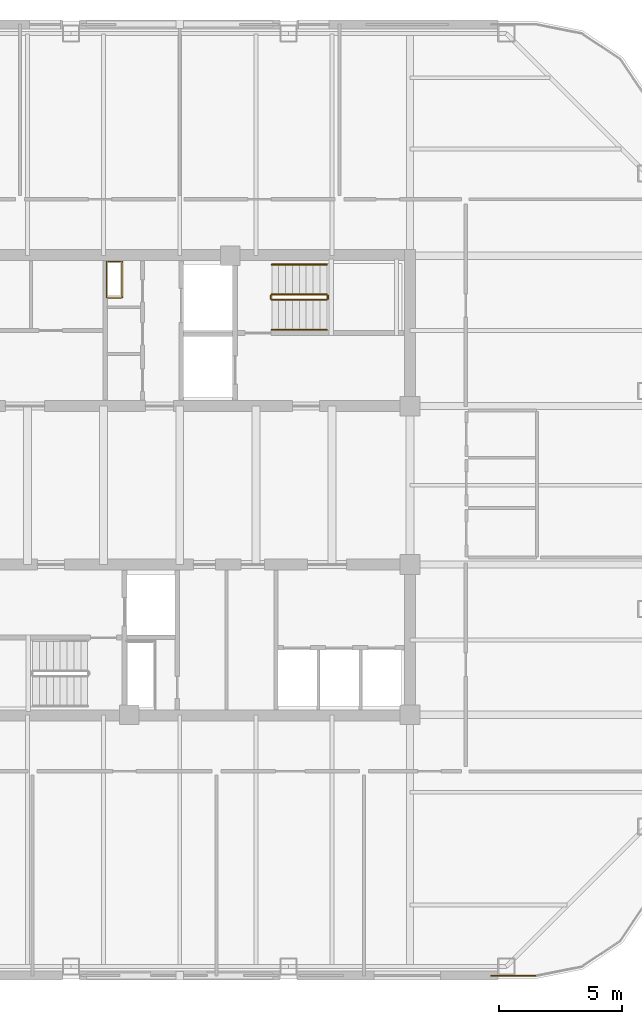
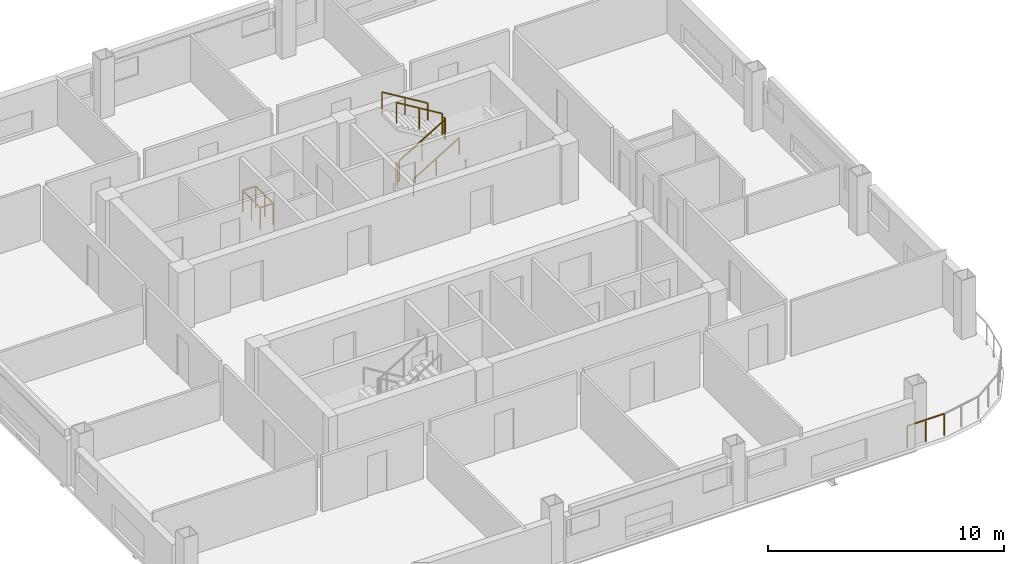
# One storey, part 7 of 8: 8 railings.
"""IFC4 building model written with IfcOpenShell, lengths in metres."""

from ifc_helpers import new_model, si_unit, direction, frame, origin, origin_2d, place, context, subcontext, project, spatial, rectangle, extrude, material, type_object, element, save


model = new_model("IFC4")

# Units and contexts
model_context = context("Model", 3, precision=1e-05, world=origin(), true_north=direction((0.0, 1.0)))
body_context = subcontext(model_context, "Body", "Model", "MODEL_VIEW")
ifc_project = project(units=[si_unit("LENGTHUNIT", "METRE"), si_unit("AREAUNIT", "SQUARE_METRE"), si_unit("VOLUMEUNIT", "CUBIC_METRE"), si_unit("PLANEANGLEUNIT", "RADIAN"), si_unit("MASSUNIT", "GRAM", prefix="KILO")], contexts=[model_context])

# Site, building, storey
site_placement = place(None, origin())
site = spatial("IfcSite", under=ifc_project, at=site_placement, CompositionType="ELEMENT")
building_placement = place(site_placement, origin())
building = spatial("IfcBuilding", under=site, at=building_placement, Name="Qhalaya Broadcast Tower", CompositionType="ELEMENT")
storey_placement = place(building_placement, frame((0.0, 0.0, 220.85009765625)))
storey = spatial("IfcBuildingStorey", under=building, at=storey_placement, Name="L65", CompositionType="ELEMENT", Elevation=220.85009765625)

# Railings
ifc_material = material(Name="Powder-Coated Galvanised Steel", Category="steel")
railing_type_1 = type_object("IfcRailingType", Name="Stair Wall Handrail 900", PredefinedType="HANDRAIL", material=ifc_material)
railing_1_placement = place(storey_placement, frame((3.75, 6.929931640625, 0.16943359375)))
element("IfcRailing", 1, at=railing_1_placement, inside=storey, type_object=railing_type_1, Name="L65 ST-1 Stair Handrail 1", PredefinedType="HANDRAIL", context=body_context, shape_type="SweptSolid", body=[
    extrude(rectangle(XDim=0.048095703125, YDim=0.048095703125, at=origin_2d()), frame((0.0, 0.0, 0.8759765625), z_axis=(0.855553338991, 0.0, 0.51771467445), x_axis=(0.0, 1.0, 0.0)), (0.0, 0.0, 1.0), 2.6181640625),
    extrude(rectangle(XDim=0.0419921875, YDim=0.0419921875, at=origin_2d()), origin(), (0.0, 0.0, 1.0), 0.849853515625),
    extrude(rectangle(XDim=0.0419921875, YDim=0.0419921875, at=origin_2d()), frame((1.1201171875, 0.0, 0.677734375)), (0.0, 0.0, 1.0), 0.849853515625),
    extrude(rectangle(XDim=0.0419921875, YDim=0.0419921875, at=origin_2d()), frame((2.239990234375, 0.0, 1.35546875)), (0.0, 0.0, 1.0), 0.849853515625),
])
railing_2_placement = place(storey_placement, frame((5.989990234375, 9.590087890625, 1.6943359375)))
element("IfcRailing", 2, at=railing_2_placement, inside=storey, type_object=railing_type_1, Name="L65 ST-1 Stair Handrail 2", PredefinedType="HANDRAIL", context=body_context, shape_type="SweptSolid", body=[
    extrude(rectangle(XDim=0.048095703125, YDim=0.048095703125, at=origin_2d()), frame((0.0, 0.0, 0.8759765625), z_axis=(-0.855553338991, 0.0, 0.51771467445), x_axis=(0.0, -1.0, 0.0)), (0.0, 0.0, 1.0), 2.6181640625),
    extrude(rectangle(XDim=0.0419921875, YDim=0.0419921875, at=origin_2d()), origin(), (0.0, 0.0, 1.0), 0.849853515625),
    extrude(rectangle(XDim=0.0419921875, YDim=0.0419921875, at=origin_2d()), frame((-1.1201171875, 0.0, 0.677734375)), (0.0, 0.0, 1.0), 0.849853515625),
    extrude(rectangle(XDim=0.0419921875, YDim=0.0419921875, at=origin_2d()), frame((-2.239990234375, 0.0, 1.35546875)), (0.0, 0.0, 1.0), 0.849853515625),
])
railing_type_2 = type_object("IfcRailingType", Name="Stair Well & Landing Guardrail 1100", PredefinedType="GUARDRAIL", material=ifc_material)
railing_3_placement = place(storey_placement, frame((-2.340087890625, 8.239990234375, 0.0)))
element("IfcRailing", 3, at=railing_3_placement, inside=storey, type_object=railing_type_2, Name="L65 Service Riser Opening Safety Guard NRSR", PredefinedType="GUARDRAIL", context=body_context, shape_type="SweptSolid", body=[
    extrude(rectangle(XDim=0.048095703125, YDim=0.048095703125, at=origin_2d()), frame((0.0, 0.02880859375, 1.1259765625), z_axis=(0.0, 1.0, 0.0), x_axis=(-1.0, 0.0, 0.0)), (0.0, 0.0, 1.0), 1.42236328125),
    extrude(rectangle(XDim=0.048095703125, YDim=0.048095703125, at=origin_2d()), frame((-0.02880859375, 1.47998046875, 1.1259765625), z_axis=(-1.0, 0.0, 0.0), x_axis=(0.0, -1.0, 0.0)), (0.0, 0.0, 1.0), 0.582275390625),
    extrude(rectangle(XDim=0.048095703125, YDim=0.048095703125, at=origin_2d()), frame((-0.639892578125, 1.451171875, 1.1259765625), z_axis=(0.0, -1.0, 0.0), x_axis=(1.0, 0.0, 0.0)), (0.0, 0.0, 1.0), 1.42236328125),
    extrude(rectangle(XDim=0.048095703125, YDim=0.048095703125, at=origin_2d()), frame((-0.611083984375, 0.0, 1.1259765625), z_axis=(1.0, 0.0, 0.0), x_axis=(0.0, 1.0, 0.0)), (0.0, 0.0, 1.0), 0.582275390625),
    extrude(rectangle(XDim=0.0419921875, YDim=0.0419921875, at=origin_2d()), origin(), (0.0, 0.0, 1.0), 1.099853515625),
    extrude(rectangle(XDim=0.0419921875, YDim=0.0419921875, at=origin_2d()), frame((0.0, 0.739990234375, 0.0)), (0.0, 0.0, 1.0), 1.099853515625),
    extrude(rectangle(XDim=0.0419921875, YDim=0.0419921875, at=origin_2d()), frame((0.0, 1.47998046875, 0.0)), (0.0, 0.0, 1.0), 1.099853515625),
    extrude(rectangle(XDim=0.0419921875, YDim=0.0419921875, at=origin_2d()), frame((-0.639892578125, 1.47998046875, 0.0)), (0.0, 0.0, 1.0), 1.099853515625),
    extrude(rectangle(XDim=0.0419921875, YDim=0.0419921875, at=origin_2d()), frame((-0.639892578125, 0.739990234375, 0.0)), (0.0, 0.0, 1.0), 1.099853515625),
    extrude(rectangle(XDim=0.0419921875, YDim=0.0419921875, at=origin_2d()), frame((-0.639892578125, 0.0, 0.0)), (0.0, 0.0, 1.0), 1.099853515625),
])
railing_4_placement = place(storey_placement, frame((3.75, 8.14990234375, 0.16943359375)))
element("IfcRailing", 4, at=railing_4_placement, inside=storey, type_object=railing_type_2, Name="L65 ST-1 Stair Guard 1", PredefinedType="GUARDRAIL", context=body_context, shape_type="SweptSolid", body=[
    extrude(rectangle(XDim=0.048095703125, YDim=0.048095703125, at=origin_2d()), frame((0.0, 0.0, 1.076171875), z_axis=(0.855553338991, 0.0, 0.51771467445), x_axis=(0.0, 1.0, 0.0)), (0.0, 0.0, 1.0), 2.6181640625),
    extrude(rectangle(XDim=0.0419921875, YDim=0.0419921875, at=origin_2d()), origin(), (0.0, 0.0, 1.0), 1.050048828125),
    extrude(rectangle(XDim=0.0419921875, YDim=0.0419921875, at=origin_2d()), frame((1.1201171875, 0.0, 0.677734375)), (0.0, 0.0, 1.0), 1.050048828125),
    extrude(rectangle(XDim=0.0419921875, YDim=0.0419921875, at=origin_2d()), frame((2.239990234375, 0.0, 1.35546875)), (0.0, 0.0, 1.0), 1.050048828125),
])
railing_5_placement = place(storey_placement, frame((6.0400390625, 8.199951171875, 1.52490234375)))
element("IfcRailing", 5, at=railing_5_placement, inside=storey, type_object=railing_type_2, Name="L65 ST-1 Stair Guard 2", PredefinedType="GUARDRAIL", context=body_context, shape_type="SweptSolid", body=[
    extrude(rectangle(XDim=0.048095703125, YDim=0.048095703125, at=origin_2d()), frame((0.0, 0.0, 1.076171875), z_axis=(0.0, 1.0, 0.0), x_axis=(-1.0, 0.0, 0.0)), (0.0, 0.0, 1.0), 0.1201171875),
    extrude(rectangle(XDim=0.0419921875, YDim=0.0419921875, at=origin_2d()), origin(), (0.0, 0.0, 1.0), 1.050048828125),
    extrude(rectangle(XDim=0.0419921875, YDim=0.0419921875, at=origin_2d()), frame((0.0, 0.1201171875, 0.0)), (0.0, 0.0, 1.0), 1.050048828125),
])
railing_6_placement = place(storey_placement, frame((5.989990234375, 8.3701171875, 1.6943359375)))
element("IfcRailing", 6, at=railing_6_placement, inside=storey, type_object=railing_type_2, Name="L65 ST-1 Stair Guard 3", PredefinedType="GUARDRAIL", context=body_context, shape_type="SweptSolid", body=[
    extrude(rectangle(XDim=0.048095703125, YDim=0.048095703125, at=origin_2d()), frame((0.0, 0.0, 1.076171875), z_axis=(-0.855553338991, 0.0, 0.51771467445), x_axis=(0.0, -1.0, 0.0)), (0.0, 0.0, 1.0), 2.6181640625),
    extrude(rectangle(XDim=0.0419921875, YDim=0.0419921875, at=origin_2d()), origin(), (0.0, 0.0, 1.0), 1.050048828125),
    extrude(rectangle(XDim=0.0419921875, YDim=0.0419921875, at=origin_2d()), frame((-1.1201171875, 0.0, 0.677734375)), (0.0, 0.0, 1.0), 1.050048828125),
    extrude(rectangle(XDim=0.0419921875, YDim=0.0419921875, at=origin_2d()), frame((-2.239990234375, 0.0, 1.35546875)), (0.0, 0.0, 1.0), 1.050048828125),
])
railing_7_placement = place(storey_placement, frame((3.699951171875, 8.199951171875, 0.0)))
element("IfcRailing", 7, at=railing_7_placement, inside=storey, type_object=railing_type_2, Name="L65 ST-1 Stair Guard 4", PredefinedType="GUARDRAIL", context=body_context, shape_type="SweptSolid", body=[
    extrude(rectangle(XDim=0.048095703125, YDim=0.048095703125, at=origin_2d()), frame((0.0, 0.0, 1.076171875), z_axis=(0.0, 1.0, 0.0), x_axis=(-1.0, 0.0, 0.0)), (0.0, 0.0, 1.0), 0.1201171875),
    extrude(rectangle(XDim=0.0419921875, YDim=0.0419921875, at=origin_2d()), origin(), (0.0, 0.0, 1.0), 1.050048828125),
    extrude(rectangle(XDim=0.0419921875, YDim=0.0419921875, at=origin_2d()), frame((0.0, 0.1201171875, 0.0)), (0.0, 0.0, 1.0), 1.050048828125),
])
railing_type_3 = type_object("IfcRailingType", Name="Terrace, Sky-Pool & Lookout Glass Balustrade 1150", PredefinedType="BALUSTRADE", material=ifc_material)
railing_8_placement = place(storey_placement, frame((14.48828125, -19.3798828125, 0.0)))
element("IfcRailing", 8, at=railing_8_placement, inside=storey, type_object=railing_type_3, Name="L65 Rounded Corner Perimeter Guard 01", PredefinedType="BALUSTRADE", context=body_context, shape_type="SweptSolid", body=[
    extrude(rectangle(XDim=0.048095703125, YDim=0.048095703125, at=origin_2d()), frame((0.0, 0.0, 1.1259765625), z_axis=(-1.0, 0.0, 0.0), x_axis=(0.0, -1.0, 0.0)), (0.0, 0.0, 1.0), 1.806396484375),
    extrude(rectangle(XDim=0.0419921875, YDim=0.0419921875, at=origin_2d()), origin(), (0.0, 0.0, 1.0), 1.099853515625),
    extrude(rectangle(XDim=0.0419921875, YDim=0.0419921875, at=origin_2d()), frame((-0.9033203125, 0.0, 0.0)), (0.0, 0.0, 1.0), 1.099853515625),
    extrude(rectangle(XDim=0.0419921875, YDim=0.0419921875, at=origin_2d()), frame((-1.806396484375, 0.0, 0.0)), (0.0, 0.0, 1.0), 1.099853515625),
])

save(model, "model.ifc")
